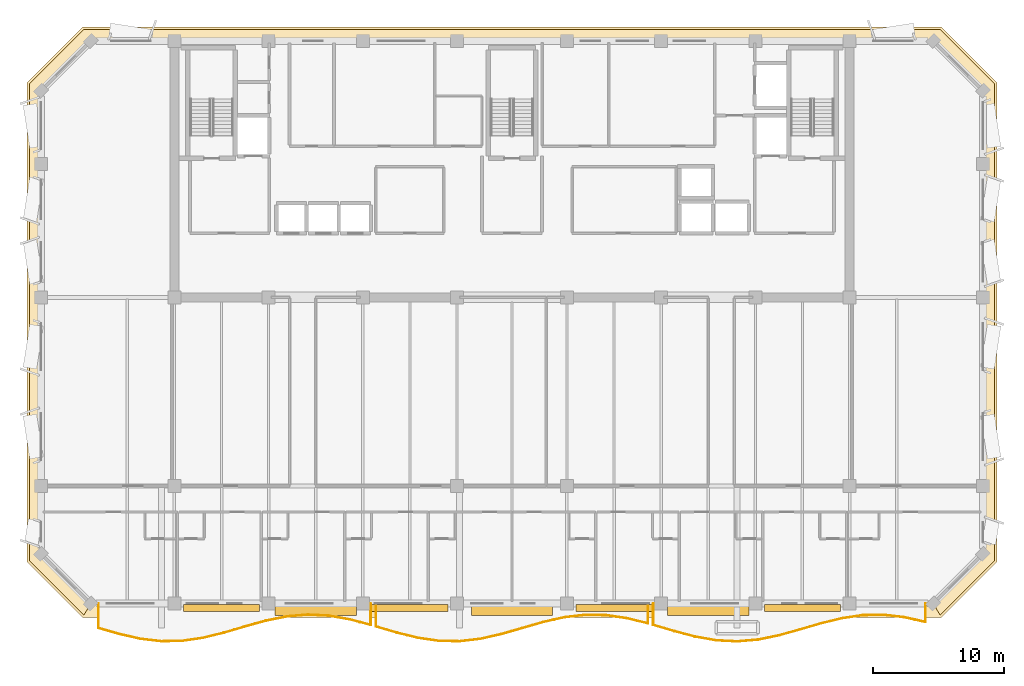
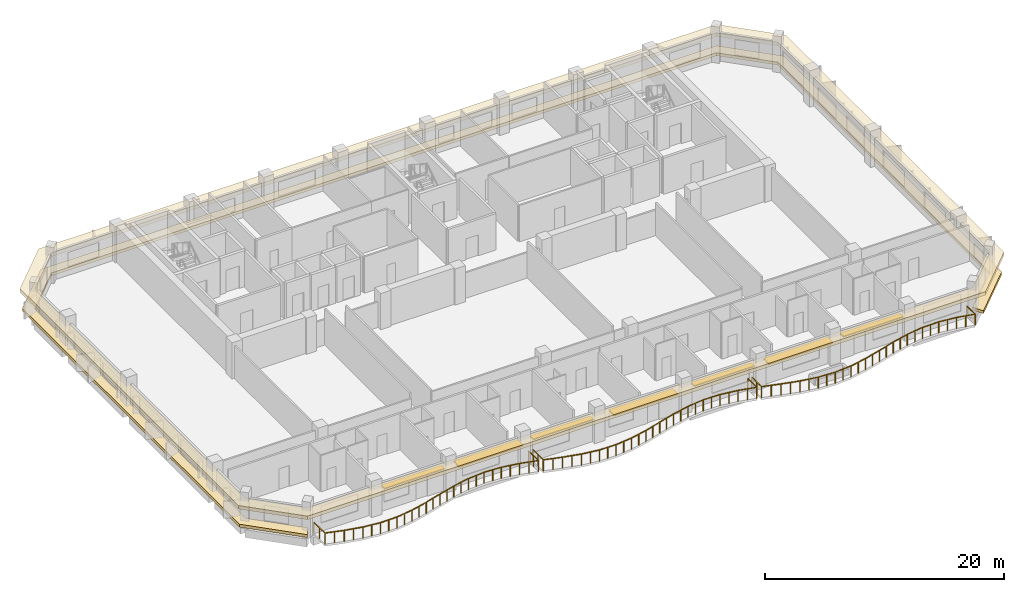
# One storey, part 9 of 11: 7 shading devices, 3 railings, 2 coverings.
"""IFC4 building model written with IfcOpenShell, lengths in metres."""

from ifc_helpers import new_model, si_unit, direction, frame, origin, origin_2d, place, context, subcontext, project, spatial, polyline, rectangle, outline, extrude, material, layer, layer_set, type_object, element, save


model = new_model("IFC4")

# Units and contexts
model_context = context("Model", 3, precision=1e-05, world=origin(), true_north=direction((0.0, 1.0)))
body_context = subcontext(model_context, "Body", "Model", "MODEL_VIEW")
ifc_project = project(units=[si_unit("LENGTHUNIT", "METRE"), si_unit("AREAUNIT", "SQUARE_METRE"), si_unit("VOLUMEUNIT", "CUBIC_METRE"), si_unit("PLANEANGLEUNIT", "RADIAN"), si_unit("MASSUNIT", "GRAM", prefix="KILO")], contexts=[model_context])

# Site, building, storey
site_placement = place(None, origin())
site = spatial("IfcSite", under=ifc_project, at=site_placement, CompositionType="ELEMENT")
building_placement = place(site_placement, origin())
building = spatial("IfcBuilding", under=site, at=building_placement, Name="Kaelvorn Grand Hotel", CompositionType="ELEMENT")
storey_placement = place(building_placement, frame((0.0, 0.0, 237.050048828125)))
storey = spatial("IfcBuildingStorey", under=building, at=storey_placement, Name="L58", CompositionType="ELEMENT", Elevation=237.050048828125)

# Coverings
ifc_material_1 = material(Name="Precast concrete C45/55", Category="concrete")
ifc_layer_1 = layer(ifc_material_1, 0.260009765625)
ifc_layer_set_1 = layer_set([ifc_layer_1], Name="Precast concrete C45/55")
covering_type_1 = type_object("IfcCoveringType", Name="COV-BAND-STREAMLINE-HEAD", PredefinedType="CLADDING", material=ifc_layer_set_1)
covering_1_placement = place(storey_placement, frame((0.0, 0.0, 2.419921875)))
element("IfcCovering", 1, at=covering_1_placement, inside=storey, type_object=covering_type_1, Name="L58 Streamline Moderne Wraparound Horizontal Eyebrow Band", PredefinedType="CLADDING", context=body_context, shape_type="SweptSolid", body=[
    extrude(outline(polyline([(9.18994140625, 4.949951171875), (74.81005859375, 4.949951171875), (79.050048828125, 9.18994140625), (79.050048828125, 45.81005859375), (74.81005859375, 50.050048828125), (9.18994140625, 50.050048828125), (4.949951171875, 45.81005859375), (4.949951171875, 9.18994140625), (9.18994140625, 4.949951171875)]), holes=[polyline([(9.820068359375, 6.030029296875), (74.179931640625, 6.030029296875), (77.969970703125, 9.820068359375), (77.969970703125, 45.179931640625), (74.179931640625, 48.969970703125), (9.820068359375, 48.969970703125), (6.030029296875, 45.179931640625), (6.030029296875, 9.820068359375), (9.820068359375, 6.030029296875)])]), origin(), (0.0, 0.0, 1.0), 0.360107421875),
])
ifc_layer_2 = layer(ifc_material_1, 0.219970703125)
ifc_layer_set_2 = layer_set([ifc_layer_2], Name="Precast concrete C45/55")
covering_type_2 = type_object("IfcCoveringType", Name="COV-BAND-STREAMLINE-SILL", PredefinedType="CLADDING", material=ifc_layer_set_2)
covering_2_placement = place(storey_placement, frame((0.0, 0.0, 0.449951171875)))
element("IfcCovering", 2, at=covering_2_placement, inside=storey, type_object=covering_type_2, Name="L58 Streamline Moderne Wraparound Horizontal Sill Spandrel Band", PredefinedType="CLADDING", context=body_context, shape_type="SweptSolid", body=[
    extrude(outline(polyline([(74.715576171875, 5.1201171875), (78.8798828125, 9.284423828125), (78.8798828125, 45.715576171875), (74.715576171875, 49.8798828125), (9.284423828125, 49.8798828125), (5.1201171875, 45.715576171875), (5.1201171875, 9.284423828125), (9.284423828125, 5.1201171875), (9.817626953125, 6.030029296875), (6.030029296875, 9.817626953125), (6.030029296875, 45.182373046875), (9.817626953125, 48.969970703125), (74.182373046875, 48.969970703125), (77.969970703125, 45.182373046875), (77.969970703125, 9.817626953125), (74.182373046875, 6.030029296875), (74.715576171875, 5.1201171875)])), origin(), (0.0, 0.0, 1.0), 0.300048828125),
])

# Railings
ifc_material_2 = material(Name="Stainless Steel", Category="steel")
railing_type = type_object("IfcRailingType", Name="RL-BALC-1150", PredefinedType="BALUSTRADE", material=ifc_material_2)
railing_1_placement = place(storey_placement, frame((10.39990234375, 6.0, 0.0)))
element("IfcRailing", 3, at=railing_1_placement, inside=storey, type_object=railing_type, Name="L58 Scalloped Wave Balcony Balustrade GR1-1", PredefinedType="BALUSTRADE", context=body_context, shape_type="SweptSolid", body=[
    extrude(rectangle(XDim=0.048095703125, YDim=0.048095703125, at=origin_2d()), frame((0.0, 0.0, 1.1259765625), z_axis=(0.0, -1.0, 0.0), x_axis=(1.0, 0.0, 0.0)), (0.0, 0.0, 1.0), 1.875),
    extrude(rectangle(XDim=0.048095703125, YDim=0.048095703125, at=origin_2d()), frame((0.0, -1.875, 1.1259765625), z_axis=(0.961080011817, -0.276270177337, 0.0), x_axis=(0.276270177337, 0.961080011817, 0.0)), (0.0, 0.0, 1.0), 1.664794921875),
    extrude(rectangle(XDim=0.048095703125, YDim=0.048095703125, at=origin_2d()), frame((1.60009765625, -2.3349609375, 1.1259765625), z_axis=(0.975310880035, -0.220836335974, 0.0), x_axis=(0.220836335974, 0.975310880035, 0.0)), (0.0, 0.0, 1.0), 1.640625),
    extrude(rectangle(XDim=0.048095703125, YDim=0.048095703125, at=origin_2d()), frame((3.2001953125, -2.697265625, 1.1259765625), z_axis=(0.993219746963, -0.116252028982, 0.0), x_axis=(0.116252028982, 0.993219746963, 0.0)), (0.0, 0.0, 1.0), 1.61083984375),
    extrude(rectangle(XDim=0.048095703125, YDim=0.048095703125, at=origin_2d()), frame((4.800048828125, -2.884521484375, 1.1259765625), z_axis=(0.999851400549, 0.017238817251, 0.0), x_axis=(-0.017238817251, 0.999851400549, 0.0)), (0.0, 0.0, 1.0), 1.600341796875),
    extrude(rectangle(XDim=0.048095703125, YDim=0.048095703125, at=origin_2d()), frame((6.400146484375, -2.85693359375, 1.1259765625), z_axis=(0.989264976248, 0.146132839464, 0.0), x_axis=(-0.146132839464, 0.989264976248, 0.0)), (0.0, 0.0, 1.0), 1.6171875),
    extrude(rectangle(XDim=0.048095703125, YDim=0.048095703125, at=origin_2d()), frame((8.0, -2.62060546875, 1.1259765625), z_axis=(0.970852806052, 0.239676509031, 0.0), x_axis=(-0.239676509031, 0.970852806052, 0.0)), (0.0, 0.0, 1.0), 1.648193359375),
    extrude(rectangle(XDim=0.048095703125, YDim=0.048095703125, at=origin_2d()), frame((9.60009765625, -2.2255859375, 1.1259765625), z_axis=(0.959549471235, 0.281540072198, 0.0), x_axis=(-0.281540072198, 0.959549471235, 0.0)), (0.0, 0.0, 1.0), 1.66748046875),
    extrude(rectangle(XDim=0.048095703125, YDim=0.048095703125, at=origin_2d()), frame((11.2001953125, -1.756103515625, 1.1259765625), z_axis=(0.963528441565, 0.267605945925, 0.0), x_axis=(-0.267605945925, 0.963528441565, 0.0)), (0.0, 0.0, 1.0), 1.660400390625),
    extrude(rectangle(XDim=0.048095703125, YDim=0.048095703125, at=origin_2d()), frame((12.800048828125, -1.311767578125, 1.1259765625), z_axis=(0.980053810623, 0.19873230307, 0.0), x_axis=(-0.19873230307, 0.980053810623, 0.0)), (0.0, 0.0, 1.0), 1.632568359375),
    extrude(rectangle(XDim=0.048095703125, YDim=0.048095703125, at=origin_2d()), frame((14.400146484375, -0.9873046875, 1.1259765625), z_axis=(0.996432640647, 0.084391899215, 0.0), x_axis=(-0.084391899215, 0.996432640647, 0.0)), (0.0, 0.0, 1.0), 1.60546875),
    extrude(rectangle(XDim=0.048095703125, YDim=0.048095703125, at=origin_2d()), frame((16.0, -0.851806640625, 1.1259765625), z_axis=(0.998688462717, -0.051199164399, 0.0), x_axis=(0.051199164399, 0.998688462717, 0.0)), (0.0, 0.0, 1.0), 1.602294921875),
    extrude(rectangle(XDim=0.048095703125, YDim=0.048095703125, at=origin_2d()), frame((17.60009765625, -0.933837890625, 1.1259765625), z_axis=(0.984798681851, -0.173699614925, 0.0), x_axis=(0.173699614925, 0.984798681851, 0.0)), (0.0, 0.0, 1.0), 1.624755859375),
    extrude(rectangle(XDim=0.048095703125, YDim=0.048095703125, at=origin_2d()), frame((19.2001953125, -1.216064453125, 1.1259765625), z_axis=(0.966837134786, -0.255393725059, 0.0), x_axis=(0.255393725059, 0.966837134786, 0.0)), (0.0, 0.0, 1.0), 1.65478515625),
    extrude(rectangle(XDim=0.048095703125, YDim=0.048095703125, at=origin_2d()), frame((20.800048828125, -1.638671875, 1.1259765625), z_axis=(0.0, 1.0, 0.0), x_axis=(-1.0, 0.0, 0.0)), (0.0, 0.0, 1.0), 1.638671875),
    extrude(rectangle(XDim=0.0419921875, YDim=0.0419921875, at=origin_2d()), origin(), (0.0, 0.0, 1.0), 1.101806640625),
    extrude(rectangle(XDim=0.0419921875, YDim=0.0419921875, at=origin_2d()), frame((0.0, -0.9375, 0.0)), (0.0, 0.0, 1.0), 1.101806640625),
    extrude(rectangle(XDim=0.0419921875, YDim=0.0419921875, at=origin_2d()), frame((0.0, -1.875, 0.0)), (0.0, 0.0, 1.0), 1.101806640625),
    extrude(rectangle(XDim=0.0419921875, YDim=0.0419921875, at=origin_2d()), frame((0.800048828125, -2.10498046875, 0.0)), (0.0, 0.0, 1.0), 1.101806640625),
    extrude(rectangle(XDim=0.0419921875, YDim=0.0419921875, at=origin_2d()), frame((1.60009765625, -2.3349609375, 0.0)), (0.0, 0.0, 1.0), 1.101806640625),
    extrude(rectangle(XDim=0.0419921875, YDim=0.0419921875, at=origin_2d()), frame((2.400146484375, -2.51611328125, 0.0)), (0.0, 0.0, 1.0), 1.101806640625),
    extrude(rectangle(XDim=0.0419921875, YDim=0.0419921875, at=origin_2d()), frame((3.2001953125, -2.697265625, 0.0)), (0.0, 0.0, 1.0), 1.101806640625),
    extrude(rectangle(XDim=0.0419921875, YDim=0.0419921875, at=origin_2d()), frame((4.0, -2.791015625, 0.0)), (0.0, 0.0, 1.0), 1.101806640625),
    extrude(rectangle(XDim=0.0419921875, YDim=0.0419921875, at=origin_2d()), frame((4.800048828125, -2.884521484375, 0.0)), (0.0, 0.0, 1.0), 1.101806640625),
    extrude(rectangle(XDim=0.0419921875, YDim=0.0419921875, at=origin_2d()), frame((5.60009765625, -2.87060546875, 0.0)), (0.0, 0.0, 1.0), 1.101806640625),
    extrude(rectangle(XDim=0.0419921875, YDim=0.0419921875, at=origin_2d()), frame((6.400146484375, -2.85693359375, 0.0)), (0.0, 0.0, 1.0), 1.101806640625),
    extrude(rectangle(XDim=0.0419921875, YDim=0.0419921875, at=origin_2d()), frame((7.2001953125, -2.73876953125, 0.0)), (0.0, 0.0, 1.0), 1.101806640625),
    extrude(rectangle(XDim=0.0419921875, YDim=0.0419921875, at=origin_2d()), frame((8.0, -2.62060546875, 0.0)), (0.0, 0.0, 1.0), 1.101806640625),
    extrude(rectangle(XDim=0.0419921875, YDim=0.0419921875, at=origin_2d()), frame((8.800048828125, -2.423095703125, 0.0)), (0.0, 0.0, 1.0), 1.101806640625),
    extrude(rectangle(XDim=0.0419921875, YDim=0.0419921875, at=origin_2d()), frame((9.60009765625, -2.2255859375, 0.0)), (0.0, 0.0, 1.0), 1.101806640625),
    extrude(rectangle(XDim=0.0419921875, YDim=0.0419921875, at=origin_2d()), frame((10.400146484375, -1.99072265625, 0.0)), (0.0, 0.0, 1.0), 1.101806640625),
    extrude(rectangle(XDim=0.0419921875, YDim=0.0419921875, at=origin_2d()), frame((11.2001953125, -1.756103515625, 0.0)), (0.0, 0.0, 1.0), 1.101806640625),
    extrude(rectangle(XDim=0.0419921875, YDim=0.0419921875, at=origin_2d()), frame((12.0, -1.533935546875, 0.0)), (0.0, 0.0, 1.0), 1.101806640625),
    extrude(rectangle(XDim=0.0419921875, YDim=0.0419921875, at=origin_2d()), frame((12.800048828125, -1.311767578125, 0.0)), (0.0, 0.0, 1.0), 1.101806640625),
    extrude(rectangle(XDim=0.0419921875, YDim=0.0419921875, at=origin_2d()), frame((13.60009765625, -1.1494140625, 0.0)), (0.0, 0.0, 1.0), 1.101806640625),
    extrude(rectangle(XDim=0.0419921875, YDim=0.0419921875, at=origin_2d()), frame((14.400146484375, -0.9873046875, 0.0)), (0.0, 0.0, 1.0), 1.101806640625),
    extrude(rectangle(XDim=0.0419921875, YDim=0.0419921875, at=origin_2d()), frame((15.2001953125, -0.91943359375, 0.0)), (0.0, 0.0, 1.0), 1.101806640625),
    extrude(rectangle(XDim=0.0419921875, YDim=0.0419921875, at=origin_2d()), frame((16.0, -0.851806640625, 0.0)), (0.0, 0.0, 1.0), 1.101806640625),
    extrude(rectangle(XDim=0.0419921875, YDim=0.0419921875, at=origin_2d()), frame((16.800048828125, -0.892822265625, 0.0)), (0.0, 0.0, 1.0), 1.101806640625),
    extrude(rectangle(XDim=0.0419921875, YDim=0.0419921875, at=origin_2d()), frame((17.60009765625, -0.933837890625, 0.0)), (0.0, 0.0, 1.0), 1.101806640625),
    extrude(rectangle(XDim=0.0419921875, YDim=0.0419921875, at=origin_2d()), frame((18.400146484375, -1.074951171875, 0.0)), (0.0, 0.0, 1.0), 1.101806640625),
    extrude(rectangle(XDim=0.0419921875, YDim=0.0419921875, at=origin_2d()), frame((19.2001953125, -1.216064453125, 0.0)), (0.0, 0.0, 1.0), 1.101806640625),
    extrude(rectangle(XDim=0.0419921875, YDim=0.0419921875, at=origin_2d()), frame((20.0, -1.42724609375, 0.0)), (0.0, 0.0, 1.0), 1.101806640625),
    extrude(rectangle(XDim=0.0419921875, YDim=0.0419921875, at=origin_2d()), frame((20.800048828125, -1.638671875, 0.0)), (0.0, 0.0, 1.0), 1.101806640625),
    extrude(rectangle(XDim=0.0419921875, YDim=0.0419921875, at=origin_2d()), frame((20.800048828125, -0.8193359375, 0.0)), (0.0, 0.0, 1.0), 1.101806640625),
    extrude(rectangle(XDim=0.0419921875, YDim=0.0419921875, at=origin_2d()), frame((20.800048828125, 0.0, 0.0)), (0.0, 0.0, 1.0), 1.101806640625),
])
railing_2_placement = place(storey_placement, frame((31.60009765625, 6.0, 0.0)))
element("IfcRailing", 4, at=railing_2_placement, inside=storey, type_object=railing_type, Name="L58 Scalloped Wave Balcony Balustrade GR1-2", PredefinedType="BALUSTRADE", context=body_context, shape_type="SweptSolid", body=[
    extrude(rectangle(XDim=0.048095703125, YDim=0.048095703125, at=origin_2d()), frame((0.0, 0.0, 1.1259765625), z_axis=(0.0, -1.0, 0.0), x_axis=(1.0, 0.0, 0.0)), (0.0, 0.0, 1.0), 1.756103515625),
    extrude(rectangle(XDim=0.048095703125, YDim=0.048095703125, at=origin_2d()), frame((0.0, -1.756103515625, 1.1259765625), z_axis=(0.95953786389, -0.281579629522, 0.0), x_axis=(0.281579629522, 0.95953786389, 0.0)), (0.0, 0.0, 1.0), 1.667236328125),
    extrude(rectangle(XDim=0.048095703125, YDim=0.048095703125, at=origin_2d()), frame((1.599853515625, -2.2255859375, 1.1259765625), z_axis=(0.970852806052, -0.239676509031, 0.0), x_axis=(0.239676509031, 0.970852806052, 0.0)), (0.0, 0.0, 1.0), 1.648193359375),
    extrude(rectangle(XDim=0.048095703125, YDim=0.048095703125, at=origin_2d()), frame((3.199951171875, -2.62060546875, 1.1259765625), z_axis=(0.989264976248, -0.146132839464, 0.0), x_axis=(0.146132839464, 0.989264976248, 0.0)), (0.0, 0.0, 1.0), 1.6171875),
    extrude(rectangle(XDim=0.048095703125, YDim=0.048095703125, at=origin_2d()), frame((4.7998046875, -2.85693359375, 1.1259765625), z_axis=(0.999851400549, -0.017238817251, 0.0), x_axis=(0.017238817251, 0.999851400549, 0.0)), (0.0, 0.0, 1.0), 1.600341796875),
    extrude(rectangle(XDim=0.048095703125, YDim=0.048095703125, at=origin_2d()), frame((6.39990234375, -2.884521484375, 1.1259765625), z_axis=(0.993221794861, 0.116234531074, 0.0), x_axis=(-0.116234531074, 0.993221794861, 0.0)), (0.0, 0.0, 1.0), 1.611083984375),
    extrude(rectangle(XDim=0.048095703125, YDim=0.048095703125, at=origin_2d()), frame((8.0, -2.697265625, 1.1259765625), z_axis=(0.97530362111, 0.220868392145, 0.0), x_axis=(-0.220868392145, 0.97530362111, 0.0)), (0.0, 0.0, 1.0), 1.640380859375),
    extrude(rectangle(XDim=0.048095703125, YDim=0.048095703125, at=origin_2d()), frame((9.599853515625, -2.3349609375, 1.1259765625), z_axis=(0.961080011817, 0.276270177337, 0.0), x_axis=(-0.276270177337, 0.961080011817, 0.0)), (0.0, 0.0, 1.0), 1.664794921875),
    extrude(rectangle(XDim=0.048095703125, YDim=0.048095703125, at=origin_2d()), frame((11.199951171875, -1.875, 1.1259765625), z_axis=(0.961068817105, 0.276309118179, 0.0), x_axis=(-0.276309118179, 0.961068817105, 0.0)), (0.0, 0.0, 1.0), 1.66455078125),
    extrude(rectangle(XDim=0.048095703125, YDim=0.048095703125, at=origin_2d()), frame((12.7998046875, -1.4150390625, 1.1259765625), z_axis=(0.975310880035, 0.220836335974, 0.0), x_axis=(-0.220836335974, 0.975310880035, 0.0)), (0.0, 0.0, 1.0), 1.640625),
    extrude(rectangle(XDim=0.048095703125, YDim=0.048095703125, at=origin_2d()), frame((14.39990234375, -1.052734375, 1.1259765625), z_axis=(0.993221794861, 0.116234531074, 0.0), x_axis=(-0.116234531074, 0.993221794861, 0.0)), (0.0, 0.0, 1.0), 1.611083984375),
    extrude(rectangle(XDim=0.048095703125, YDim=0.048095703125, at=origin_2d()), frame((16.0, -0.865478515625, 1.1259765625), z_axis=(0.999851355203, -0.017241447144, 0.0), x_axis=(0.017241447144, 0.999851355203, 0.0)), (0.0, 0.0, 1.0), 1.60009765625),
    extrude(rectangle(XDim=0.048095703125, YDim=0.048095703125, at=origin_2d()), frame((17.599853515625, -0.89306640625, 1.1259765625), z_axis=(0.989268199326, -0.146111018759, 0.0), x_axis=(0.146111018759, 0.989268199326, 0.0)), (0.0, 0.0, 1.0), 1.617431640625),
    extrude(rectangle(XDim=0.048095703125, YDim=0.048095703125, at=origin_2d()), frame((19.199951171875, -1.12939453125, 1.1259765625), z_axis=(0.970844294836, -0.23971098261, 0.0), x_axis=(0.23971098261, 0.970844294836, 0.0)), (0.0, 0.0, 1.0), 1.64794921875),
    extrude(rectangle(XDim=0.048095703125, YDim=0.048095703125, at=origin_2d()), frame((20.7998046875, -1.5244140625, 1.1259765625), z_axis=(0.0, 1.0, 0.0), x_axis=(-1.0, 0.0, 0.0)), (0.0, 0.0, 1.0), 1.5244140625),
    extrude(rectangle(XDim=0.0419921875, YDim=0.0419921875, at=origin_2d()), origin(), (0.0, 0.0, 1.0), 1.101806640625),
    extrude(rectangle(XDim=0.0419921875, YDim=0.0419921875, at=origin_2d()), frame((0.0, -0.8779296875, 0.0)), (0.0, 0.0, 1.0), 1.101806640625),
    extrude(rectangle(XDim=0.0419921875, YDim=0.0419921875, at=origin_2d()), frame((0.0, -1.756103515625, 0.0)), (0.0, 0.0, 1.0), 1.101806640625),
    extrude(rectangle(XDim=0.0419921875, YDim=0.0419921875, at=origin_2d()), frame((0.7998046875, -1.99072265625, 0.0)), (0.0, 0.0, 1.0), 1.101806640625),
    extrude(rectangle(XDim=0.0419921875, YDim=0.0419921875, at=origin_2d()), frame((1.599853515625, -2.2255859375, 0.0)), (0.0, 0.0, 1.0), 1.101806640625),
    extrude(rectangle(XDim=0.0419921875, YDim=0.0419921875, at=origin_2d()), frame((2.39990234375, -2.423095703125, 0.0)), (0.0, 0.0, 1.0), 1.101806640625),
    extrude(rectangle(XDim=0.0419921875, YDim=0.0419921875, at=origin_2d()), frame((3.199951171875, -2.62060546875, 0.0)), (0.0, 0.0, 1.0), 1.101806640625),
    extrude(rectangle(XDim=0.0419921875, YDim=0.0419921875, at=origin_2d()), frame((4.0, -2.73876953125, 0.0)), (0.0, 0.0, 1.0), 1.101806640625),
    extrude(rectangle(XDim=0.0419921875, YDim=0.0419921875, at=origin_2d()), frame((4.7998046875, -2.85693359375, 0.0)), (0.0, 0.0, 1.0), 1.101806640625),
    extrude(rectangle(XDim=0.0419921875, YDim=0.0419921875, at=origin_2d()), frame((5.599853515625, -2.87060546875, 0.0)), (0.0, 0.0, 1.0), 1.101806640625),
    extrude(rectangle(XDim=0.0419921875, YDim=0.0419921875, at=origin_2d()), frame((6.39990234375, -2.884521484375, 0.0)), (0.0, 0.0, 1.0), 1.101806640625),
    extrude(rectangle(XDim=0.0419921875, YDim=0.0419921875, at=origin_2d()), frame((7.199951171875, -2.791015625, 0.0)), (0.0, 0.0, 1.0), 1.101806640625),
    extrude(rectangle(XDim=0.0419921875, YDim=0.0419921875, at=origin_2d()), frame((8.0, -2.697265625, 0.0)), (0.0, 0.0, 1.0), 1.101806640625),
    extrude(rectangle(XDim=0.0419921875, YDim=0.0419921875, at=origin_2d()), frame((8.7998046875, -2.51611328125, 0.0)), (0.0, 0.0, 1.0), 1.101806640625),
    extrude(rectangle(XDim=0.0419921875, YDim=0.0419921875, at=origin_2d()), frame((9.599853515625, -2.3349609375, 0.0)), (0.0, 0.0, 1.0), 1.101806640625),
    extrude(rectangle(XDim=0.0419921875, YDim=0.0419921875, at=origin_2d()), frame((10.39990234375, -2.10498046875, 0.0)), (0.0, 0.0, 1.0), 1.101806640625),
    extrude(rectangle(XDim=0.0419921875, YDim=0.0419921875, at=origin_2d()), frame((11.199951171875, -1.875, 0.0)), (0.0, 0.0, 1.0), 1.101806640625),
    extrude(rectangle(XDim=0.0419921875, YDim=0.0419921875, at=origin_2d()), frame((12.0, -1.64501953125, 0.0)), (0.0, 0.0, 1.0), 1.101806640625),
    extrude(rectangle(XDim=0.0419921875, YDim=0.0419921875, at=origin_2d()), frame((12.7998046875, -1.4150390625, 0.0)), (0.0, 0.0, 1.0), 1.101806640625),
    extrude(rectangle(XDim=0.0419921875, YDim=0.0419921875, at=origin_2d()), frame((13.599853515625, -1.23388671875, 0.0)), (0.0, 0.0, 1.0), 1.101806640625),
    extrude(rectangle(XDim=0.0419921875, YDim=0.0419921875, at=origin_2d()), frame((14.39990234375, -1.052734375, 0.0)), (0.0, 0.0, 1.0), 1.101806640625),
    extrude(rectangle(XDim=0.0419921875, YDim=0.0419921875, at=origin_2d()), frame((15.199951171875, -0.958984375, 0.0)), (0.0, 0.0, 1.0), 1.101806640625),
    extrude(rectangle(XDim=0.0419921875, YDim=0.0419921875, at=origin_2d()), frame((16.0, -0.865478515625, 0.0)), (0.0, 0.0, 1.0), 1.101806640625),
    extrude(rectangle(XDim=0.0419921875, YDim=0.0419921875, at=origin_2d()), frame((16.7998046875, -0.87939453125, 0.0)), (0.0, 0.0, 1.0), 1.101806640625),
    extrude(rectangle(XDim=0.0419921875, YDim=0.0419921875, at=origin_2d()), frame((17.599853515625, -0.89306640625, 0.0)), (0.0, 0.0, 1.0), 1.101806640625),
    extrude(rectangle(XDim=0.0419921875, YDim=0.0419921875, at=origin_2d()), frame((18.39990234375, -1.01123046875, 0.0)), (0.0, 0.0, 1.0), 1.101806640625),
    extrude(rectangle(XDim=0.0419921875, YDim=0.0419921875, at=origin_2d()), frame((19.199951171875, -1.12939453125, 0.0)), (0.0, 0.0, 1.0), 1.101806640625),
    extrude(rectangle(XDim=0.0419921875, YDim=0.0419921875, at=origin_2d()), frame((20.0, -1.326904296875, 0.0)), (0.0, 0.0, 1.0), 1.101806640625),
    extrude(rectangle(XDim=0.0419921875, YDim=0.0419921875, at=origin_2d()), frame((20.7998046875, -1.5244140625, 0.0)), (0.0, 0.0, 1.0), 1.101806640625),
    extrude(rectangle(XDim=0.0419921875, YDim=0.0419921875, at=origin_2d()), frame((20.7998046875, 0.0, 0.0)), (0.0, 0.0, 1.0), 1.101806640625),
])
railing_3_placement = place(storey_placement, frame((52.800048828125, 6.0, 0.0)))
element("IfcRailing", 5, at=railing_3_placement, inside=storey, type_object=railing_type, Name="L58 Scalloped Wave Balcony Balustrade GR1-3", PredefinedType="BALUSTRADE", context=body_context, shape_type="SweptSolid", body=[
    extrude(rectangle(XDim=0.048095703125, YDim=0.048095703125, at=origin_2d()), frame((0.0, 0.0, 1.1259765625), z_axis=(0.0, -1.0, 0.0), x_axis=(1.0, 0.0, 0.0)), (0.0, 0.0, 1.0), 1.638671875),
    extrude(rectangle(XDim=0.048095703125, YDim=0.048095703125, at=origin_2d()), frame((0.0, -1.638671875, 1.1259765625), z_axis=(0.959022227014, -0.283330845643, 0.0), x_axis=(0.283330845643, 0.959022227014, 0.0)), (0.0, 0.0, 1.0), 1.668212890625),
    extrude(rectangle(XDim=0.048095703125, YDim=0.048095703125, at=origin_2d()), frame((1.599853515625, -2.111328125, 1.1259765625), z_axis=(0.966846756239, -0.255357298604, 0.0), x_axis=(0.255357298604, 0.966846756239, 0.0)), (0.0, 0.0, 1.0), 1.655029296875),
    extrude(rectangle(XDim=0.048095703125, YDim=0.048095703125, at=origin_2d()), frame((3.199951171875, -2.533935546875, 1.1259765625), z_axis=(0.984798681851, -0.173699614925, 0.0), x_axis=(0.173699614925, 0.984798681851, 0.0)), (0.0, 0.0, 1.0), 1.624755859375),
    extrude(rectangle(XDim=0.048095703125, YDim=0.048095703125, at=origin_2d()), frame((4.800048828125, -2.816162109375, 1.1259765625), z_axis=(0.998688063188, -0.051206957002, 0.0), x_axis=(0.051206957002, 0.998688063188, 0.0)), (0.0, 0.0, 1.0), 1.60205078125),
    extrude(rectangle(XDim=0.048095703125, YDim=0.048095703125, at=origin_2d()), frame((6.39990234375, -2.898193359375, 1.1259765625), z_axis=(0.996433723353, 0.084379114504, 0.0), x_axis=(-0.084379114504, 0.996433723353, 0.0)), (0.0, 0.0, 1.0), 1.605712890625),
    extrude(rectangle(XDim=0.048095703125, YDim=0.048095703125, at=origin_2d()), frame((8.0, -2.7626953125, 1.1259765625), z_axis=(0.980047903502, 0.198761431978, 0.0), x_axis=(-0.198761431978, 0.980047903502, 0.0)), (0.0, 0.0, 1.0), 1.63232421875),
    extrude(rectangle(XDim=0.048095703125, YDim=0.048095703125, at=origin_2d()), frame((9.599853515625, -2.438232421875, 1.1259765625), z_axis=(0.963538969025, 0.267568038393, 0.0), x_axis=(-0.267568038393, 0.963538969025, 0.0)), (0.0, 0.0, 1.0), 1.66064453125),
    extrude(rectangle(XDim=0.048095703125, YDim=0.048095703125, at=origin_2d()), frame((11.199951171875, -1.993896484375, 1.1259765625), z_axis=(0.959549471235, 0.281540072198, 0.0), x_axis=(-0.281540072198, 0.959549471235, 0.0)), (0.0, 0.0, 1.0), 1.66748046875),
    extrude(rectangle(XDim=0.048095703125, YDim=0.048095703125, at=origin_2d()), frame((12.800048828125, -1.5244140625, 1.1259765625), z_axis=(0.970844294836, 0.23971098261, 0.0), x_axis=(-0.23971098261, 0.970844294836, 0.0)), (0.0, 0.0, 1.0), 1.64794921875),
    extrude(rectangle(XDim=0.048095703125, YDim=0.048095703125, at=origin_2d()), frame((14.39990234375, -1.12939453125, 1.1259765625), z_axis=(0.989268199326, 0.146111018759, 0.0), x_axis=(-0.146111018759, 0.989268199326, 0.0)), (0.0, 0.0, 1.0), 1.617431640625),
    extrude(rectangle(XDim=0.048095703125, YDim=0.048095703125, at=origin_2d()), frame((16.0, -0.89306640625, 1.1259765625), z_axis=(0.999851355203, 0.017241447144, 0.0), x_axis=(-0.017241447144, 0.999851355203, 0.0)), (0.0, 0.0, 1.0), 1.60009765625),
    extrude(rectangle(XDim=0.048095703125, YDim=0.048095703125, at=origin_2d()), frame((17.599853515625, -0.865478515625, 1.1259765625), z_axis=(0.993221794861, -0.116234531074, 0.0), x_axis=(0.116234531074, 0.993221794861, 0.0)), (0.0, 0.0, 1.0), 1.611083984375),
    extrude(rectangle(XDim=0.048095703125, YDim=0.048095703125, at=origin_2d()), frame((19.199951171875, -1.052734375, 1.1259765625), z_axis=(0.975310880035, -0.220836335974, 0.0), x_axis=(0.220836335974, 0.975310880035, 0.0)), (0.0, 0.0, 1.0), 1.640625),
    extrude(rectangle(XDim=0.048095703125, YDim=0.048095703125, at=origin_2d()), frame((20.800048828125, -1.4150390625, 1.1259765625), z_axis=(0.0, 1.0, 0.0), x_axis=(-1.0, 0.0, 0.0)), (0.0, 0.0, 1.0), 1.4150390625),
    extrude(rectangle(XDim=0.0419921875, YDim=0.0419921875, at=origin_2d()), origin(), (0.0, 0.0, 1.0), 1.101806640625),
    extrude(rectangle(XDim=0.0419921875, YDim=0.0419921875, at=origin_2d()), frame((0.0, -0.8193359375, 0.0)), (0.0, 0.0, 1.0), 1.101806640625),
    extrude(rectangle(XDim=0.0419921875, YDim=0.0419921875, at=origin_2d()), frame((0.0, -1.638671875, 0.0)), (0.0, 0.0, 1.0), 1.101806640625),
    extrude(rectangle(XDim=0.0419921875, YDim=0.0419921875, at=origin_2d()), frame((0.7998046875, -1.875, 0.0)), (0.0, 0.0, 1.0), 1.101806640625),
    extrude(rectangle(XDim=0.0419921875, YDim=0.0419921875, at=origin_2d()), frame((1.599853515625, -2.111328125, 0.0)), (0.0, 0.0, 1.0), 1.101806640625),
    extrude(rectangle(XDim=0.0419921875, YDim=0.0419921875, at=origin_2d()), frame((2.39990234375, -2.32275390625, 0.0)), (0.0, 0.0, 1.0), 1.101806640625),
    extrude(rectangle(XDim=0.0419921875, YDim=0.0419921875, at=origin_2d()), frame((3.199951171875, -2.533935546875, 0.0)), (0.0, 0.0, 1.0), 1.101806640625),
    extrude(rectangle(XDim=0.0419921875, YDim=0.0419921875, at=origin_2d()), frame((4.0, -2.675048828125, 0.0)), (0.0, 0.0, 1.0), 1.101806640625),
    extrude(rectangle(XDim=0.0419921875, YDim=0.0419921875, at=origin_2d()), frame((4.800048828125, -2.816162109375, 0.0)), (0.0, 0.0, 1.0), 1.101806640625),
    extrude(rectangle(XDim=0.0419921875, YDim=0.0419921875, at=origin_2d()), frame((5.60009765625, -2.857177734375, 0.0)), (0.0, 0.0, 1.0), 1.101806640625),
    extrude(rectangle(XDim=0.0419921875, YDim=0.0419921875, at=origin_2d()), frame((6.39990234375, -2.898193359375, 0.0)), (0.0, 0.0, 1.0), 1.101806640625),
    extrude(rectangle(XDim=0.0419921875, YDim=0.0419921875, at=origin_2d()), frame((7.199951171875, -2.83056640625, 0.0)), (0.0, 0.0, 1.0), 1.101806640625),
    extrude(rectangle(XDim=0.0419921875, YDim=0.0419921875, at=origin_2d()), frame((8.0, -2.7626953125, 0.0)), (0.0, 0.0, 1.0), 1.101806640625),
    extrude(rectangle(XDim=0.0419921875, YDim=0.0419921875, at=origin_2d()), frame((8.7998046875, -2.6005859375, 0.0)), (0.0, 0.0, 1.0), 1.101806640625),
    extrude(rectangle(XDim=0.0419921875, YDim=0.0419921875, at=origin_2d()), frame((9.599853515625, -2.438232421875, 0.0)), (0.0, 0.0, 1.0), 1.101806640625),
    extrude(rectangle(XDim=0.0419921875, YDim=0.0419921875, at=origin_2d()), frame((10.39990234375, -2.216064453125, 0.0)), (0.0, 0.0, 1.0), 1.101806640625),
    extrude(rectangle(XDim=0.0419921875, YDim=0.0419921875, at=origin_2d()), frame((11.199951171875, -1.993896484375, 0.0)), (0.0, 0.0, 1.0), 1.101806640625),
    extrude(rectangle(XDim=0.0419921875, YDim=0.0419921875, at=origin_2d()), frame((12.0, -1.75927734375, 0.0)), (0.0, 0.0, 1.0), 1.101806640625),
    extrude(rectangle(XDim=0.0419921875, YDim=0.0419921875, at=origin_2d()), frame((12.800048828125, -1.5244140625, 0.0)), (0.0, 0.0, 1.0), 1.101806640625),
    extrude(rectangle(XDim=0.0419921875, YDim=0.0419921875, at=origin_2d()), frame((13.60009765625, -1.326904296875, 0.0)), (0.0, 0.0, 1.0), 1.101806640625),
    extrude(rectangle(XDim=0.0419921875, YDim=0.0419921875, at=origin_2d()), frame((14.39990234375, -1.12939453125, 0.0)), (0.0, 0.0, 1.0), 1.101806640625),
    extrude(rectangle(XDim=0.0419921875, YDim=0.0419921875, at=origin_2d()), frame((15.199951171875, -1.01123046875, 0.0)), (0.0, 0.0, 1.0), 1.101806640625),
    extrude(rectangle(XDim=0.0419921875, YDim=0.0419921875, at=origin_2d()), frame((16.0, -0.89306640625, 0.0)), (0.0, 0.0, 1.0), 1.101806640625),
    extrude(rectangle(XDim=0.0419921875, YDim=0.0419921875, at=origin_2d()), frame((16.7998046875, -0.87939453125, 0.0)), (0.0, 0.0, 1.0), 1.101806640625),
    extrude(rectangle(XDim=0.0419921875, YDim=0.0419921875, at=origin_2d()), frame((17.599853515625, -0.865478515625, 0.0)), (0.0, 0.0, 1.0), 1.101806640625),
    extrude(rectangle(XDim=0.0419921875, YDim=0.0419921875, at=origin_2d()), frame((18.39990234375, -0.958984375, 0.0)), (0.0, 0.0, 1.0), 1.101806640625),
    extrude(rectangle(XDim=0.0419921875, YDim=0.0419921875, at=origin_2d()), frame((19.199951171875, -1.052734375, 0.0)), (0.0, 0.0, 1.0), 1.101806640625),
    extrude(rectangle(XDim=0.0419921875, YDim=0.0419921875, at=origin_2d()), frame((20.0, -1.23388671875, 0.0)), (0.0, 0.0, 1.0), 1.101806640625),
    extrude(rectangle(XDim=0.0419921875, YDim=0.0419921875, at=origin_2d()), frame((20.800048828125, -1.4150390625, 0.0)), (0.0, 0.0, 1.0), 1.101806640625),
    extrude(rectangle(XDim=0.0419921875, YDim=0.0419921875, at=origin_2d()), frame((20.800048828125, 0.0, 0.0)), (0.0, 0.0, 1.0), 1.101806640625),
])

# Shading devices
ifc_layer_3 = layer(ifc_material_1, 0.1201171875)
ifc_layer_set_3 = layer_set([ifc_layer_3], Name="Precast concrete C45/55")
shading_device_type_1 = type_object("IfcShadingDeviceType", Name="SHD-SUNSHADE-550", PredefinedType="USERDEFINED", material=ifc_layer_set_3)
for number, where, z_axis, x_axis, name in (
    (6, (19.800048828125, 5.655029296875, 2.559814453125), (0.0, 0.0, 1.0), (1.0, 0.0, 0.0), "L58 Horizontal Concrete Sunshade Band SS-03"),
    (7, (34.199951171875, 5.655029296875, 2.559814453125), (0.0, 0.0, 1.0), (1.0, 0.0, 0.0), "L58 Horizontal Concrete Sunshade Band SS-05"),
    (8, (49.800048828125, 5.655029296875, 2.559814453125), (0.0, 0.0, 1.0), (1.0, 0.0, 0.0), "L58 Horizontal Concrete Sunshade Band SS-07"),
    (9, (64.199951171875, 5.655029296875, 2.559814453125), (0.0, 0.0, 1.0), (1.0, 0.0, 0.0), "L58 Horizontal Concrete Sunshade Band SS-09"),
):
    element("IfcShadingDevice", number, at=place(storey_placement, frame(where, z_axis=z_axis, x_axis=x_axis)), inside=storey, type_object=shading_device_type_1, Name=name, ObjectType="SUNSHADE", PredefinedType="USERDEFINED", context=body_context, shape_type="SweptSolid", body=[
        extrude(rectangle(XDim=5.800048828125, YDim=0.550048828125, at=origin_2d()), origin(), (0.0, 0.0, 1.0), 0.1201171875),
    ])
ifc_layer_4 = layer(ifc_material_1, 0.139892578125)
ifc_layer_set_4 = layer_set([ifc_layer_4], Name="Precast concrete C45/55")
shading_device_type_2 = type_object("IfcShadingDeviceType", Name="SHD-SUNSHADE-850", PredefinedType="USERDEFINED", material=ifc_layer_set_4)
for number, where, z_axis, x_axis, name in (
    (10, (27.0, 5.5048828125, 2.5498046875), (0.0, 0.0, 1.0), (1.0, 0.0, 0.0), "L58 Horizontal Concrete Sunshade Band SS-04"),
    (11, (42.0, 5.5048828125, 2.5498046875), (0.0, 0.0, 1.0), (1.0, 0.0, 0.0), "L58 Horizontal Concrete Sunshade Band SS-06"),
    (12, (57.0, 5.5048828125, 2.5498046875), (0.0, 0.0, 1.0), (1.0, 0.0, 0.0), "L58 Horizontal Concrete Sunshade Band SS-08"),
):
    element("IfcShadingDevice", number, at=place(storey_placement, frame(where, z_axis=z_axis, x_axis=x_axis)), inside=storey, type_object=shading_device_type_2, Name=name, ObjectType="SUNSHADE", PredefinedType="USERDEFINED", context=body_context, shape_type="SweptSolid", body=[
        extrude(rectangle(XDim=6.199951171875, YDim=0.85009765625, at=origin_2d()), origin(), (0.0, 0.0, 1.0), 0.139892578125),
    ])

save(model, "model.ifc")
